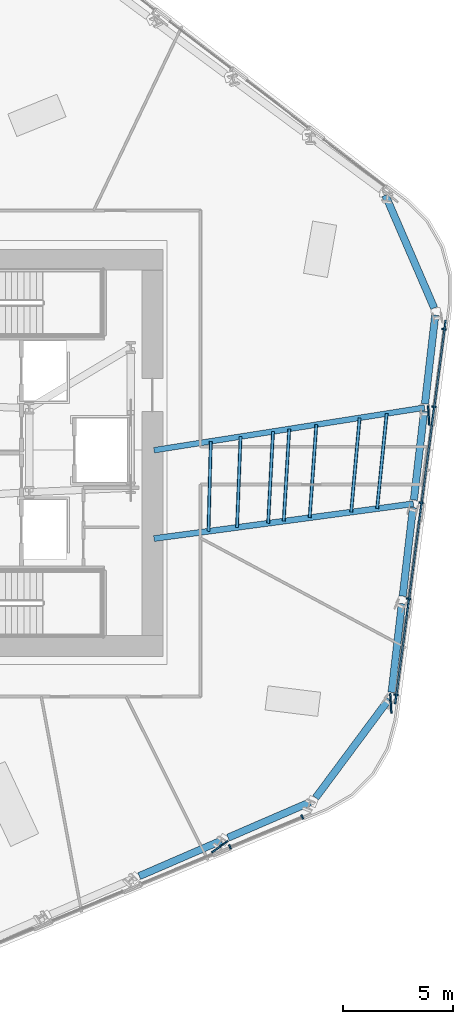
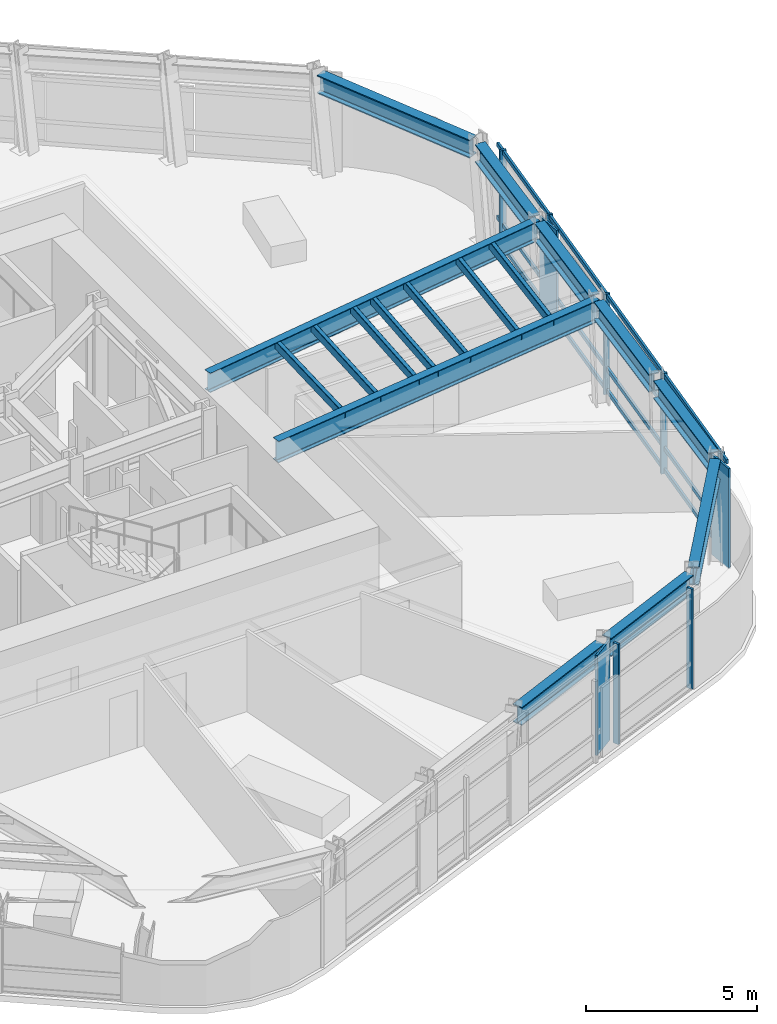
# One storey, part 5 of 18: 21 members, 10 beams, 2 elements without a shape of their own.
"""IFC4 building model written with IfcOpenShell, lengths in metres."""

from ifc_helpers import new_model, si_unit, direction, frame, origin, origin_2d, place, context, subcontext, project, spatial, rectangle, hollow_rectangle, i_section, extrude, material, layer, layer_set, material_profile, profile_set, type_object, element, aggregate, save


model = new_model("IFC4")

# Units and contexts
model_context = context("Model", 3, precision=1e-05, world=origin(), true_north=direction((0.0, 1.0)))
body_context = subcontext(model_context, "Body", "Model", "MODEL_VIEW")
ifc_project = project(units=[si_unit("LENGTHUNIT", "METRE"), si_unit("AREAUNIT", "SQUARE_METRE"), si_unit("VOLUMEUNIT", "CUBIC_METRE"), si_unit("PLANEANGLEUNIT", "RADIAN"), si_unit("MASSUNIT", "GRAM", prefix="KILO")], contexts=[model_context])

# Site, building, storey
site_placement = place(None, origin())
site = spatial("IfcSite", under=ifc_project, at=site_placement, CompositionType="ELEMENT")
building_placement = place(site_placement, origin())
building = spatial("IfcBuilding", under=site, at=building_placement, Name="Valkerne Bourse Tower", CompositionType="ELEMENT")
storey_placement = place(building_placement, frame((0.0, 0.0, 120.0)))
storey = spatial("IfcBuildingStorey", under=building, at=storey_placement, Name="L30", CompositionType="ELEMENT", Elevation=120.0)

# Beams
ifc_material_1 = material(Name="Steel ASTM A992", Category="steel")
ifc_material_profile_1 = material_profile(ifc_material_1, i_section(OverallWidth=0.330078125, OverallDepth=0.647705078125, WebThickness=0.0205078125, FlangeThickness=0.037109375, FilletRadius=0.020263671875, at=origin_2d()), Name="W24X192")
ifc_profile_set_1 = profile_set([ifc_material_profile_1], Name="Steel ASTM A992")
beam_type_1 = type_object("IfcBeamType", Name="BM-W24X192", PredefinedType="SPANDREL", material=ifc_profile_set_1)
beam_1_placement = place(storey_placement, frame((55.330810546875, 7.714111328125, 3.256103515625), z_axis=(0.917758909022, 0.397137992278, 0.0), x_axis=(-0.397137992278, 0.917758909022, 0.0)))
element("IfcBeam", 1, at=beam_1_placement, inside=storey, type_object=beam_type_1, Name="L30 Hexagonal Spandrel Ring Beam 22", PredefinedType="SPANDREL", context=body_context, shape_type="SweptSolid", body=[
    extrude(i_section(OverallWidth=0.330078125, OverallDepth=0.647705078125, WebThickness=0.0205078125, FlangeThickness=0.037109375, FilletRadius=0.020263671875, at=origin_2d()), origin(), (0.0, 0.0, 1.0), 4.043212890625),
])
beam_2_placement = place(storey_placement, frame((59.353515625, 9.454833984375, 3.256103515625), z_axis=(0.917749384733, 0.397160001539, 0.0), x_axis=(-0.397160001539, 0.917749384733, 0.0)))
element("IfcBeam", 2, at=beam_2_placement, inside=storey, type_object=beam_type_1, Name="L30 Hexagonal Spandrel Ring Beam 23", PredefinedType="SPANDREL", context=body_context, shape_type="SweptSolid", body=[
    extrude(i_section(OverallWidth=0.330078125, OverallDepth=0.647705078125, WebThickness=0.0205078125, FlangeThickness=0.037109375, FilletRadius=0.020263671875, at=origin_2d()), origin(), (0.0, 0.0, 1.0), 4.04296875),
])
beam_3_placement = place(storey_placement, frame((63.3212890625, 11.264404296875, 3.256103515625), z_axis=(0.59621655894, 0.80282365115, 0.0), x_axis=(-0.80282365115, 0.59621655894, 0.0)))
element("IfcBeam", 3, at=beam_3_placement, inside=storey, type_object=beam_type_1, Name="L30 Hexagonal Spandrel Ring Beam 24", PredefinedType="SPANDREL", context=body_context, shape_type="SweptSolid", body=[
    extrude(i_section(OverallWidth=0.330078125, OverallDepth=0.647705078125, WebThickness=0.0205078125, FlangeThickness=0.037109375, FilletRadius=0.020263671875, at=origin_2d()), origin(), (0.0, 0.0, 1.0), 5.564453125),
])
beam_4_placement = place(storey_placement, frame((66.760009765625, 16.037109375, 3.256103515625), z_axis=(0.114910596261, 0.99337583767, 0.0), x_axis=(-0.99337583767, 0.114910596261, 0.0)))
element("IfcBeam", 4, at=beam_4_placement, inside=storey, type_object=beam_type_1, Name="L30 Hexagonal Spandrel Ring Beam 25", PredefinedType="SPANDREL", context=body_context, shape_type="SweptSolid", body=[
    extrude(i_section(OverallWidth=0.330078125, OverallDepth=0.647705078125, WebThickness=0.0205078125, FlangeThickness=0.037109375, FilletRadius=0.020263671875, at=origin_2d()), origin(), (0.0, 0.0, 1.0), 4.043212890625),
])
for number, where, z_axis, x_axis, name in (
    (5, (67.263671875, 20.39111328125, 3.256103515625), (0.114977078901, 0.993368144913, 0.0), (-0.993368144913, 0.114977078901, 0.0), "L30 Hexagonal Spandrel Ring Beam 26"),
    (6, (67.767578125, 24.7451171875, 3.256103515625), (0.11491748946, 0.993375040262, 0.0), (-0.993375040262, 0.11491748946, 0.0), "L30 Hexagonal Spandrel Ring Beam 27"),
    (7, (68.271240234375, 29.09912109375, 3.256103515625), (0.114977078901, 0.993368144913, 0.0), (-0.993368144913, 0.114977078901, 0.0), "L30 Hexagonal Spandrel Ring Beam 28"),
):
    element("IfcBeam", number, at=place(storey_placement, frame(where, z_axis=z_axis, x_axis=x_axis)), inside=storey, type_object=beam_type_1, Name=name, PredefinedType="SPANDREL", context=body_context, shape_type="SweptSolid", body=[
        extrude(i_section(OverallWidth=0.330078125, OverallDepth=0.647705078125, WebThickness=0.0205078125, FlangeThickness=0.037109375, FilletRadius=0.020263671875, at=origin_2d()), origin(), (0.0, 0.0, 1.0), 4.04296875),
    ])
beam_5_placement = place(storey_placement, frame((68.68798828125, 33.440185546875, 3.256103515625), z_axis=(-0.397146895891, 0.917755056147, 0.0), x_axis=(-0.917755056147, -0.397146895891, 0.0)))
element("IfcBeam", 8, at=beam_5_placement, inside=storey, type_object=beam_type_1, Name="L30 Hexagonal Spandrel Ring Beam 29", PredefinedType="SPANDREL", context=body_context, shape_type="SweptSolid", body=[
    extrude(i_section(OverallWidth=0.330078125, OverallDepth=0.647705078125, WebThickness=0.0205078125, FlangeThickness=0.037109375, FilletRadius=0.020263671875, at=origin_2d()), origin(), (0.0, 0.0, 1.0), 5.564697265625),
])
ifc_material_profile_2 = material_profile(ifc_material_1, i_section(OverallWidth=0.255859375, OverallDepth=0.693359375, WebThickness=0.014404296875, FlangeThickness=0.023681640625, FilletRadius=0.02294921875, at=origin_2d()), Name="W27X114")
ifc_profile_set_2 = profile_set([ifc_material_profile_2], Name="Steel ASTM A992")
beam_type_2 = type_object("IfcBeamType", Name="BM-W27X114", PredefinedType="BEAM", material=ifc_profile_set_2)
beam_6_placement = place(storey_placement, frame((68.251708984375, 28.93017578125, 3.2333984375), z_axis=(-0.987816374055, -0.15562394144, 0.0), x_axis=(0.15562394144, -0.987816374055, 0.0)))
element("IfcBeam", 9, at=beam_6_placement, inside=storey, type_object=beam_type_2, Name="L30 Radial Composite Floor Beam 28", PredefinedType="BEAM", context=body_context, shape_type="SweptSolid", body=[
    extrude(i_section(OverallWidth=0.255859375, OverallDepth=0.693359375, WebThickness=0.014404296875, FlangeThickness=0.023681640625, FilletRadius=0.02294921875, at=origin_2d()), origin(), (0.0, 0.0, 1.0), 12.40283203125),
])
ifc_material_profile_3 = material_profile(ifc_material_1, i_section(OverallWidth=0.26806640625, OverallDepth=0.76953125, WebThickness=0.015625, FlangeThickness=0.025390625, FilletRadius=0.025390625, at=origin_2d()), Name="W30X132")
ifc_profile_set_3 = profile_set([ifc_material_profile_3], Name="Steel ASTM A992")
beam_type_3 = type_object("IfcBeamType", Name="BM-W30X132", PredefinedType="BEAM", material=ifc_profile_set_3)
beam_7_placement = place(storey_placement, frame((67.748046875, 24.576171875, 3.1953125), z_axis=(-0.991119639146, -0.132973158569, 0.0), x_axis=(0.132973158569, -0.991119639146, 0.0)))
element("IfcBeam", 10, at=beam_7_placement, inside=storey, type_object=beam_type_3, Name="L30 Radial Composite Floor Beam 27", PredefinedType="BEAM", context=body_context, shape_type="SweptSolid", body=[
    extrude(i_section(OverallWidth=0.26806640625, OverallDepth=0.76953125, WebThickness=0.015625, FlangeThickness=0.025390625, FilletRadius=0.025390625, at=origin_2d()), origin(), (0.0, 0.0, 1.0), 11.853271484375),
])

# Curtain wall, members
ifc_material_2 = material(Name="Aluminium AA 6063-T6", Category="aluminium")
ifc_layer = layer(ifc_material_2, 0.22998046875)
ifc_layer_set = layer_set([ifc_layer], Name="Aluminium AA 6063-T6")
curtain_wall_type = type_object("IfcCurtainWallType", Name="CW-02", PredefinedType="NOTDEFINED", material=ifc_layer_set)
curtain_wall_1_placement = place(storey_placement, origin())
curtain_wall_1 = element("IfcCurtainWall", 11, at=curtain_wall_1_placement, inside=storey, type_object=curtain_wall_type, Name="L30 Hexagonal Stick Curtain Wall Face 5", PredefinedType="NOTDEFINED")
ifc_material_profile_4 = material_profile(ifc_material_2, rectangle(XDim=0.074951171875, YDim=0.199951171875, at=origin_2d()), Name="CWM-75X200")
ifc_profile_set_4 = profile_set([ifc_material_profile_4], Name="Aluminium AA 6063-T6")
member_type_1 = type_object("IfcMemberType", Name="CW-MUL-220X75", PredefinedType="MULLION", material=ifc_profile_set_4)
member_1_placement = place(storey_placement, frame((59.4375, 9.04150390625, 0.0), z_axis=(0.0, 0.0, 1.0), x_axis=(0.923877514085, 0.38268830524, 0.0)))
member_1 = element("IfcMember", 12, at=member_1_placement, type_object=member_type_1, Name="CW-L30-F5 Jamb Mullion 03A", PredefinedType="MULLION", context=body_context, shape_type="SweptSolid", body=[
    extrude(rectangle(XDim=0.074951171875, YDim=0.199951171875, at=origin_2d()), origin(), (0.0, 0.0, 1.0), 3.580078125),
])
member_2_placement = place(storey_placement, frame((62.710693359375, 10.397216796875, 0.0), z_axis=(0.0, 0.0, 1.0), x_axis=(0.923877514085, 0.38268830524, 0.0)))
member_2 = element("IfcMember", 13, at=member_2_placement, type_object=member_type_1, Name="CW-L30-F5 Jamb Mullion 03B", PredefinedType="MULLION", context=body_context, shape_type="SweptSolid", body=[
    extrude(rectangle(XDim=0.074951171875, YDim=0.199951171875, at=origin_2d()), origin(), (0.0, 0.0, 1.0), 3.580078125),
])
aggregate(curtain_wall_1, [member_1, member_2])

curtain_wall_2_placement = place(storey_placement, origin())
curtain_wall_2 = element("IfcCurtainWall", 14, at=curtain_wall_2_placement, inside=storey, type_object=curtain_wall_type, Name="L30 Hexagonal Stick Curtain Wall Face 6", PredefinedType="NOTDEFINED")
member_3_placement = place(storey_placement, frame((66.955078125, 15.928466796875, 0.0), z_axis=(0.0, 0.0, 1.0), x_axis=(0.130527105368, 0.991444741155, 0.0)))
member_3 = element("IfcMember", 15, at=member_3_placement, type_object=member_type_1, Name="CW-L30-F6 Jamb Mullion 00A", PredefinedType="MULLION", context=body_context, shape_type="SweptSolid", body=[
    extrude(rectangle(XDim=0.074951171875, YDim=0.199951171875, at=origin_2d()), origin(), (0.0, 0.0, 1.0), 3.580078125),
])
member_4_placement = place(storey_placement, frame((67.527099609375, 20.27392578125, 0.0), z_axis=(0.0, 0.0, 1.0), x_axis=(0.130527105368, 0.991444741155, 0.0)))
member_4 = element("IfcMember", 16, at=member_4_placement, type_object=member_type_1, Name="CW-L30-F6 Jamb Mullion 01A", PredefinedType="MULLION", context=body_context, shape_type="SweptSolid", body=[
    extrude(rectangle(XDim=0.074951171875, YDim=0.199951171875, at=origin_2d()), origin(), (0.0, 0.0, 1.0), 3.580078125),
])
member_5_placement = place(storey_placement, frame((68.09912109375, 24.619384765625, 0.0), z_axis=(0.0, 0.0, 1.0), x_axis=(0.130527105368, 0.991444741155, 0.0)))
member_5 = element("IfcMember", 17, at=member_5_placement, type_object=member_type_1, Name="CW-L30-F6 Jamb Mullion 02A", PredefinedType="MULLION", context=body_context, shape_type="SweptSolid", body=[
    extrude(rectangle(XDim=0.074951171875, YDim=0.199951171875, at=origin_2d()), origin(), (0.0, 0.0, 1.0), 3.580078125),
])
member_6_placement = place(storey_placement, frame((68.67138671875, 28.965087890625, 0.0), z_axis=(0.0, 0.0, 1.0), x_axis=(0.130527105368, 0.991444741155, 0.0)))
member_6 = element("IfcMember", 18, at=member_6_placement, type_object=member_type_1, Name="CW-L30-F6 Jamb Mullion 03A", PredefinedType="MULLION", context=body_context, shape_type="SweptSolid", body=[
    extrude(rectangle(XDim=0.074951171875, YDim=0.199951171875, at=origin_2d()), origin(), (0.0, 0.0, 1.0), 3.580078125),
])
member_7_placement = place(storey_placement, frame((69.1337890625, 32.477783203125, 0.0), z_axis=(0.0, 0.0, 1.0), x_axis=(0.130527105368, 0.991444741155, 0.0)))
member_7 = element("IfcMember", 19, at=member_7_placement, type_object=member_type_1, Name="CW-L30-F6 Jamb Mullion 03B", PredefinedType="MULLION", context=body_context, shape_type="SweptSolid", body=[
    extrude(rectangle(XDim=0.074951171875, YDim=0.199951171875, at=origin_2d()), origin(), (0.0, 0.0, 1.0), 3.580078125),
])
ifc_material_profile_5 = material_profile(ifc_material_2, rectangle(XDim=0.074951171875, YDim=0.14990234375, at=origin_2d()), Name="CWT-75X150")
ifc_profile_set_5 = profile_set([ifc_material_profile_5], Name="Aluminium AA 6063-T6")
member_type_2 = type_object("IfcMemberType", Name="CW-TRN-180X65", PredefinedType="USERDEFINED", material=ifc_profile_set_5)
member_8_placement = place(storey_placement, frame((66.919921875, 15.509521484375, 0.1201171875), z_axis=(0.130536282118, 0.991443532961, 0.0), x_axis=(-0.991443532961, 0.130536282118, 0.0)))
member_8 = element("IfcMember", 20, at=member_8_placement, type_object=member_type_2, Name="CW-L30-F6 Continuous Face Transom 1", ObjectType="TRANSOM", PredefinedType="USERDEFINED", context=body_context, shape_type="SweptSolid", body=[
    extrude(rectangle(XDim=0.074951171875, YDim=0.14990234375, at=origin_2d()), origin(), (0.0, 0.0, 1.0), 17.531982421875),
])
member_9_placement = place(storey_placement, frame((66.919921875, 15.509521484375, 0.89990234375), z_axis=(0.130536282118, 0.991443532961, 0.0), x_axis=(-0.991443532961, 0.130536282118, 0.0)))
member_9 = element("IfcMember", 21, at=member_9_placement, type_object=member_type_2, Name="CW-L30-F6 Continuous Face Transom 2", ObjectType="TRANSOM", PredefinedType="USERDEFINED", context=body_context, shape_type="SweptSolid", body=[
    extrude(rectangle(XDim=0.074951171875, YDim=0.14990234375, at=origin_2d()), origin(), (0.0, 0.0, 1.0), 17.531982421875),
])
member_10_placement = place(storey_placement, frame((66.919921875, 15.509521484375, 2.39990234375), z_axis=(0.130536282118, 0.991443532961, 0.0), x_axis=(-0.991443532961, 0.130536282118, 0.0)))
member_10 = element("IfcMember", 22, at=member_10_placement, type_object=member_type_2, Name="CW-L30-F6 Continuous Face Transom 3", ObjectType="TRANSOM", PredefinedType="USERDEFINED", context=body_context, shape_type="SweptSolid", body=[
    extrude(rectangle(XDim=0.074951171875, YDim=0.14990234375, at=origin_2d()), origin(), (0.0, 0.0, 1.0), 17.531982421875),
])
member_11_placement = place(storey_placement, frame((66.919921875, 15.509521484375, 3.5), z_axis=(0.130536282118, 0.991443532961, 0.0), x_axis=(-0.991443532961, 0.130536282118, 0.0)))
member_11 = element("IfcMember", 23, at=member_11_placement, type_object=member_type_2, Name="CW-L30-F6 Continuous Face Transom 4", ObjectType="TRANSOM", PredefinedType="USERDEFINED", context=body_context, shape_type="SweptSolid", body=[
    extrude(rectangle(XDim=0.074951171875, YDim=0.14990234375, at=origin_2d()), origin(), (0.0, 0.0, 1.0), 17.531982421875),
])
aggregate(curtain_wall_2, [member_8, member_9, member_10, member_11, member_3, member_4, member_5, member_6, member_7])

# Members
ifc_material_3 = material(Name="Bronze Anodised Aluminium AA 6063-T6", Category="aluminium")
ifc_material_profile_6 = material_profile(ifc_material_3, rectangle(XDim=0.070068359375, YDim=0.89990234375, at=origin_2d()), Name="FIN-70X900")
ifc_profile_set_6 = profile_set([ifc_material_profile_6], Name="Bronze Anodised Aluminium AA 6063-T6")
member_type_3 = type_object("IfcMemberType", Name="FIN-SOLAR-900", PredefinedType="USERDEFINED", material=ifc_profile_set_6)
for number, where, z_axis, x_axis, name in (
    (24, (58.98046875, 9.047119140625, 0.00390625), (0.0, 0.0, 1.0), (0.579773933696, -0.814777384202, 0.0), "L30 Bronze Anodised Solar Fin F5-03"),
    (25, (66.7216796875, 15.53564453125, 0.00390625), (0.0, 0.0, 1.0), (0.99801915745, 0.062910741241, 0.0), "L30 Bronze Anodised Solar Fin F6-00"),
    (26, (68.43798828125, 28.572021484375, 0.00390625), (0.0, 0.0, 1.0), (0.99801915745, 0.062910741241, 0.0), "L30 Bronze Anodised Solar Fin F6-03"),
):
    element("IfcMember", number, at=place(storey_placement, frame(where, z_axis=z_axis, x_axis=x_axis)), inside=storey, type_object=member_type_3, Name=name, ObjectType="SOLAR_FIN", PredefinedType="USERDEFINED", context=body_context, shape_type="SweptSolid", body=[
        extrude(rectangle(XDim=0.070068359375, YDim=0.89990234375, at=origin_2d()), origin(), (0.0, 0.0, 1.0), 3.572021484375),
    ])
ifc_material_4 = material(Name="Steel ASTM A500 Grade C", Category="steel")
ifc_material_profile_7 = material_profile(ifc_material_4, hollow_rectangle(XDim=0.14990234375, YDim=0.300048828125, WallThickness=0.012451171875, OuterFilletRadius=0.02490234375, at=origin_2d()), Name="HSS300X150X12.5")
ifc_profile_set_7 = profile_set([ifc_material_profile_7], Name="Steel ASTM A500 Grade C")
member_type_4 = type_object("IfcMemberType", Name="MBR-HSS300X150X12.5", PredefinedType="PURLIN", material=ifc_profile_set_7)
member_12_placement = place(storey_placement, frame((59.759521484375, 23.50439453125, 3.419921875), z_axis=(0.039084547887, 0.999235907139, 0.0), x_axis=(-0.999235907139, 0.039084547887, 0.0)))
element("IfcMember", 27, at=member_12_placement, inside=storey, type_object=member_type_4, Name="L30 Secondary Composite Floor Purlin I-27", PredefinedType="PURLIN", context=body_context, shape_type="SweptSolid", body=[
    extrude(hollow_rectangle(XDim=0.14990234375, YDim=0.300048828125, WallThickness=0.012451171875, OuterFilletRadius=0.02490234375, at=origin_2d()), origin(), (0.0, 0.0, 1.0), 4.116455078125),
])
member_13_placement = place(storey_placement, frame((61.169189453125, 23.693603515625, 3.419921875), z_axis=(0.053208504625, 0.998583424174, 0.0), x_axis=(-0.998583424174, 0.053208504625, 0.0)))
element("IfcMember", 28, at=member_13_placement, inside=storey, type_object=member_type_4, Name="L30 Secondary Composite Floor Purlin K-27", PredefinedType="PURLIN", context=body_context, shape_type="SweptSolid", body=[
    extrude(hollow_rectangle(XDim=0.14990234375, YDim=0.300048828125, WallThickness=0.012451171875, OuterFilletRadius=0.02490234375, at=origin_2d()), origin(), (0.0, 0.0, 1.0), 4.16162109375),
])
member_14_placement = place(storey_placement, frame((61.8740234375, 23.7880859375, 3.419921875), z_axis=(0.060151564799, 0.998189255228, 0.0), x_axis=(-0.998189255228, 0.060151564799, 0.0)))
element("IfcMember", 29, at=member_14_placement, inside=storey, type_object=member_type_4, Name="L30 Secondary Composite Floor Purlin M-27", PredefinedType="PURLIN", context=body_context, shape_type="SweptSolid", body=[
    extrude(hollow_rectangle(XDim=0.14990234375, YDim=0.300048828125, WallThickness=0.012451171875, OuterFilletRadius=0.02490234375, at=origin_2d()), origin(), (0.0, 0.0, 1.0), 4.1845703125),
])
member_15_placement = place(storey_placement, frame((64.928466796875, 24.197998046875, 3.419921875), z_axis=(0.089313371032, 0.996003575172, 0.0), x_axis=(-0.996003575172, 0.089313371032, 0.0)))
element("IfcMember", 30, at=member_15_placement, inside=storey, type_object=member_type_4, Name="L30 Secondary Composite Floor Purlin O-27", PredefinedType="PURLIN", context=body_context, shape_type="SweptSolid", body=[
    extrude(hollow_rectangle(XDim=0.14990234375, YDim=0.300048828125, WallThickness=0.012451171875, OuterFilletRadius=0.02490234375, at=origin_2d()), origin(), (0.0, 0.0, 1.0), 4.2861328125),
])
member_16_placement = place(storey_placement, frame((63.048828125, 23.94580078125, 3.419921875), z_axis=(0.071567489875, 0.997435759532, 0.0), x_axis=(-0.997435759532, 0.071567489875, 0.0)))
element("IfcMember", 31, at=member_16_placement, inside=storey, type_object=member_type_4, Name="L30 Secondary Composite Floor Purlin Z-27", PredefinedType="PURLIN", context=body_context, shape_type="SweptSolid", body=[
    extrude(hollow_rectangle(XDim=0.14990234375, YDim=0.300048828125, WallThickness=0.012451171875, OuterFilletRadius=0.02490234375, at=origin_2d()), origin(), (0.0, 0.0, 1.0), 4.22314453125),
])
member_17_placement = place(storey_placement, frame((58.467041015625, 23.3310546875, 3.419921875), z_axis=(0.025997921061, 0.999661996927, 0.0), x_axis=(-0.999661996927, 0.025997921061, 0.0)))
element("IfcMember", 32, at=member_17_placement, inside=storey, type_object=member_type_4, Name="L30 Secondary Composite Floor Purlin S-27", PredefinedType="PURLIN", context=body_context, shape_type="SweptSolid", body=[
    extrude(hollow_rectangle(XDim=0.14990234375, YDim=0.300048828125, WallThickness=0.012451171875, OuterFilletRadius=0.02490234375, at=origin_2d()), origin(), (0.0, 0.0, 1.0), 4.07568359375),
])
member_18_placement = place(storey_placement, frame((66.103271484375, 24.35546875, 3.419921875), z_axis=(0.100168600639, 0.994970477676, 0.0), x_axis=(-0.994970477676, 0.100168600639, 0.0)))
element("IfcMember", 33, at=member_18_placement, inside=storey, type_object=member_type_4, Name="L30 Secondary Composite Floor Purlin T-27", PredefinedType="PURLIN", context=body_context, shape_type="SweptSolid", body=[
    extrude(hollow_rectangle(XDim=0.14990234375, YDim=0.300048828125, WallThickness=0.012451171875, OuterFilletRadius=0.02490234375, at=origin_2d()), origin(), (0.0, 0.0, 1.0), 4.326171875),
])

save(model, "model.ifc")
